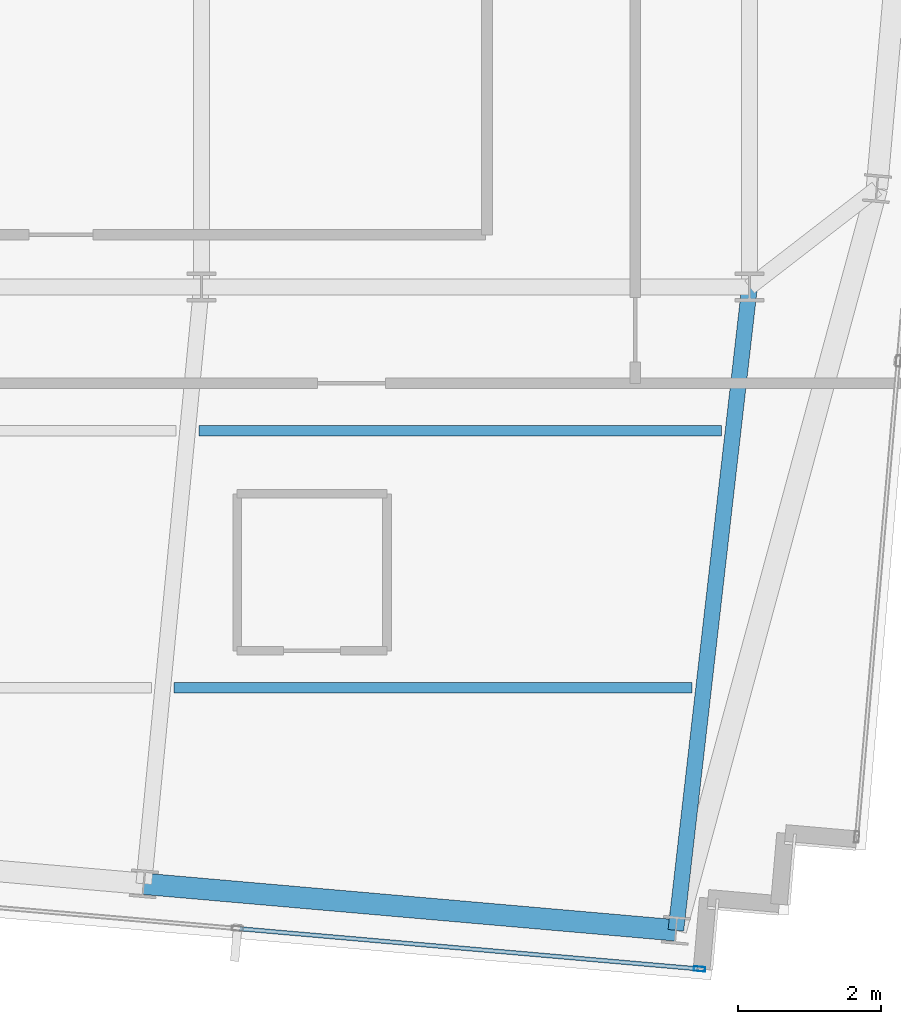
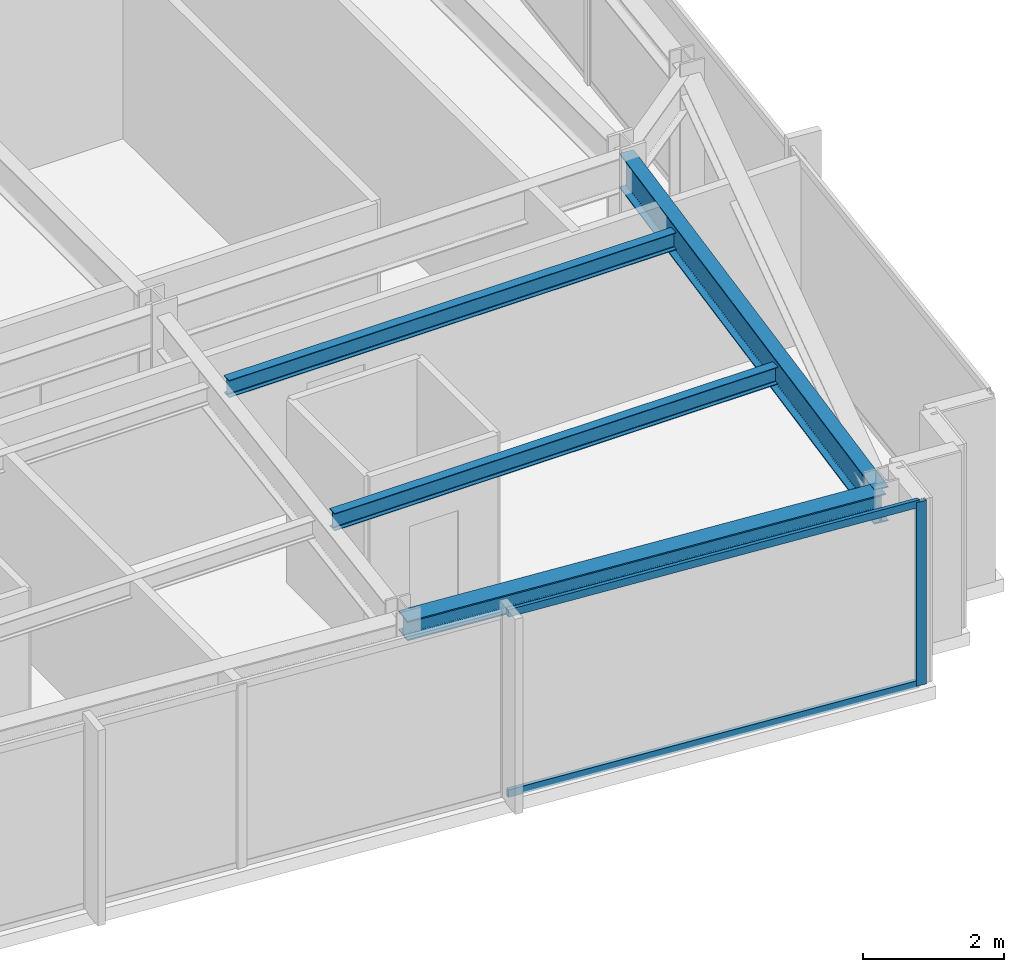
# One storey, part 14 of 33: 4 beams, 3 members, 1 element without a shape of its own.
"""IFC4 building model written with IfcOpenShell, lengths in metres."""

from ifc_helpers import new_model, si_unit, direction, frame, origin, origin_2d, place, context, subcontext, project, spatial, hollow_rectangle, i_section, extrude, material, material_profile, profile_set, type_object, element, aggregate, save


model = new_model("IFC4")

# Units and contexts
model_context = context("Model", 3, precision=1e-05, world=origin(), true_north=direction((0.0, 1.0)))
body_context = subcontext(model_context, "Body", "Model", "MODEL_VIEW")
ifc_project = project(units=[si_unit("LENGTHUNIT", "METRE"), si_unit("AREAUNIT", "SQUARE_METRE"), si_unit("VOLUMEUNIT", "CUBIC_METRE"), si_unit("PLANEANGLEUNIT", "RADIAN"), si_unit("MASSUNIT", "GRAM", prefix="KILO")], contexts=[model_context])

# Site, building, storey
site_placement = place(None, origin())
site = spatial("IfcSite", under=ifc_project, at=site_placement, CompositionType="ELEMENT")
building_placement = place(site_placement, origin())
building = spatial("IfcBuilding", under=site, at=building_placement, Name="Yelkora Congress Tower", CompositionType="ELEMENT")
storey_placement = place(building_placement, frame((0.0, 0.0, 289.699951171875)))
storey = spatial("IfcBuildingStorey", under=building, at=storey_placement, Name="L81", CompositionType="ELEMENT", Elevation=289.699951171875)

# Beams
ifc_material_1 = material(Name="Steel S355J2", Category="steel")
ifc_material_profile_1 = material_profile(ifc_material_1, i_section(OverallWidth=0.219970703125, OverallDepth=0.60009765625, WebThickness=0.011962890625, FlangeThickness=0.01904296875, FilletRadius=0.02392578125, at=origin_2d()), Name="IPE 600")
ifc_profile_set_1 = profile_set([ifc_material_profile_1], Name="Steel S355J2")
beam_type_1 = type_object("IfcBeamType", Name="BM-GIRD-IPE600", PredefinedType="BEAM", material=ifc_profile_set_1)
beam_1_placement = place(storey_placement, frame((52.727294921875, 16.1845703125, 2.880126953125), z_axis=(0.113806093355, 0.993502980929, 0.0), x_axis=(-0.993502980929, 0.113806093355, 0.0)))
element("IfcBeam", 1, at=beam_1_placement, inside=storey, type_object=beam_type_1, Name="L81 Primary Frame Girder S07", PredefinedType="BEAM", context=body_context, shape_type="SweptSolid", body=[
    extrude(i_section(OverallWidth=0.219970703125, OverallDepth=0.60009765625, WebThickness=0.011962890625, FlangeThickness=0.01904296875, FilletRadius=0.02392578125, at=origin_2d()), origin(), (0.0, 0.0, 1.0), 9.07421875),
])
ifc_material_profile_2 = material_profile(ifc_material_1, i_section(OverallWidth=0.14990234375, OverallDepth=0.300048828125, WebThickness=0.007080078125, FlangeThickness=0.0107421875, FilletRadius=0.014892578125, at=origin_2d()), Name="IPE 300")
ifc_profile_set_2 = profile_set([ifc_material_profile_2], Name="Steel S355J2")
beam_type_2 = type_object("IfcBeamType", Name="BM-JOIST-IPE300", PredefinedType="JOIST", material=ifc_profile_set_2)
beam_2_placement = place(storey_placement, frame((45.69775390625, 19.58447265625, 3.030029296875), z_axis=(1.0, 0.0, 0.0), x_axis=(0.0, 1.0, 0.0)))
element("IfcBeam", 2, at=beam_2_placement, inside=storey, type_object=beam_type_2, Name="L81 Composite Floor Joist 4", PredefinedType="JOIST", context=body_context, shape_type="SweptSolid", body=[
    extrude(i_section(OverallWidth=0.14990234375, OverallDepth=0.300048828125, WebThickness=0.007080078125, FlangeThickness=0.0107421875, FilletRadius=0.014892578125, at=origin_2d()), origin(), (0.0, 0.0, 1.0), 7.259033203125),
])
beam_3_placement = place(storey_placement, frame((46.04541015625, 23.1845703125, 3.030029296875), z_axis=(1.0, 0.0, 0.0), x_axis=(0.0, 1.0, 0.0)))
element("IfcBeam", 3, at=beam_3_placement, inside=storey, type_object=beam_type_2, Name="L81 Composite Floor Joist 8", PredefinedType="JOIST", context=body_context, shape_type="SweptSolid", body=[
    extrude(i_section(OverallWidth=0.14990234375, OverallDepth=0.300048828125, WebThickness=0.007080078125, FlangeThickness=0.0107421875, FilletRadius=0.014892578125, at=origin_2d()), origin(), (0.0, 0.0, 1.0), 7.32373046875),
])
ifc_material_profile_3 = material_profile(ifc_material_1, i_section(OverallWidth=0.300048828125, OverallDepth=0.340087890625, WebThickness=0.011962890625, FlangeThickness=0.021484375, FilletRadius=0.027099609375, at=origin_2d()), Name="HEB 340")
ifc_profile_set_3 = profile_set([ifc_material_profile_3], Name="Steel S355J2")
beam_type_3 = type_object("IfcBeamType", Name="BM-SPAN-HEB340", PredefinedType="SPANDREL", material=ifc_profile_set_3)
beam_4_placement = place(storey_placement, frame((45.2724609375, 16.836669921875, 3.010009765625), z_axis=(0.99619601894, -0.087140644067, 0.0), x_axis=(0.087140644067, 0.99619601894, 0.0)))
element("IfcBeam", 4, at=beam_4_placement, inside=storey, type_object=beam_type_3, Name="L81 Perimeter Beam 6", PredefinedType="SPANDREL", context=body_context, shape_type="SweptSolid", body=[
    extrude(i_section(OverallWidth=0.300048828125, OverallDepth=0.340087890625, WebThickness=0.011962890625, FlangeThickness=0.021484375, FilletRadius=0.027099609375, at=origin_2d()), origin(), (0.0, 0.0, 1.0), 7.4833984375),
])

# Curtain wall, members
ifc_material_2 = material(Name="Anodised aluminium and insulated glass", Category="aluminium")
curtain_wall_type = type_object("IfcCurtainWallType", Name="CW-SYS-B5", PredefinedType="NOTDEFINED", material=ifc_material_2)
curtain_wall_placement = place(storey_placement, origin())
curtain_wall = element("IfcCurtainWall", 5, at=curtain_wall_placement, inside=storey, type_object=curtain_wall_type, Name="L81 Unitised Curtain Wall 20", PredefinedType="NOTDEFINED")
ifc_material_3 = material(Name="Anodised aluminium 6063-T6", Category="aluminium")
ifc_material_profile_4 = material_profile(ifc_material_3, hollow_rectangle(XDim=0.06494140625, YDim=0.159912109375, WallThickness=0.00390625, at=origin_2d()), Name="ALU 65x160x4")
ifc_profile_set_4 = profile_set([ifc_material_profile_4], Name="Anodised aluminium 6063-T6")
member_type_1 = type_object("IfcMemberType", Name="MEM-ML-B5", PredefinedType="MULLION", material=ifc_profile_set_4)
member_1_placement = place(storey_placement, frame((53.058837890625, 15.6435546875, 0.0), z_axis=(0.0, 0.0, 1.0), x_axis=(-0.087156829793, -0.996194602987, 0.0)))
member_1 = element("IfcMember", 6, at=member_1_placement, type_object=member_type_1, Name="CW-B5 mullion 1", PredefinedType="MULLION", context=body_context, shape_type="SweptSolid", body=[
    extrude(hollow_rectangle(XDim=0.06494140625, YDim=0.159912109375, WallThickness=0.00390625, at=origin_2d()), origin(), (0.0, 0.0, 1.0), 3.179931640625),
])
ifc_material_profile_5 = material_profile(ifc_material_3, hollow_rectangle(XDim=0.06005859375, YDim=0.1298828125, WallThickness=0.00390625, at=origin_2d()), Name="ALU 60x130x4")
ifc_profile_set_5 = profile_set([ifc_material_profile_5], Name="Anodised aluminium 6063-T6")
member_type_2 = type_object("IfcMemberType", Name="MEM-TR-B5", PredefinedType="USERDEFINED", material=ifc_profile_set_5)
member_2_placement = place(storey_placement, frame((53.0263671875, 15.646484375, 0.030029296875), z_axis=(-0.996197464696, 0.087124114537, 0.0), x_axis=(-0.087124114537, -0.996197464696, 0.0)))
member_2 = element("IfcMember", 7, at=member_2_placement, type_object=member_type_2, Name="CW-B5 transom 1.1", ObjectType="TRANSOM", PredefinedType="USERDEFINED", context=body_context, shape_type="SweptSolid", body=[
    extrude(hollow_rectangle(XDim=0.06005859375, YDim=0.1298828125, WallThickness=0.00390625, at=origin_2d()), origin(), (0.0, 0.0, 1.0), 6.433837890625),
])
member_3_placement = place(storey_placement, frame((53.0263671875, 15.646484375, 3.150146484375), z_axis=(-0.996197464696, 0.087124114537, 0.0), x_axis=(-0.087124114537, -0.996197464696, 0.0)))
member_3 = element("IfcMember", 8, at=member_3_placement, type_object=member_type_2, Name="CW-B5 transom 1.2", ObjectType="TRANSOM", PredefinedType="USERDEFINED", context=body_context, shape_type="SweptSolid", body=[
    extrude(hollow_rectangle(XDim=0.06005859375, YDim=0.1298828125, WallThickness=0.00390625, at=origin_2d()), origin(), (0.0, 0.0, 1.0), 6.433837890625),
])
aggregate(curtain_wall, [member_1, member_2, member_3])

save(model, "model.ifc")
